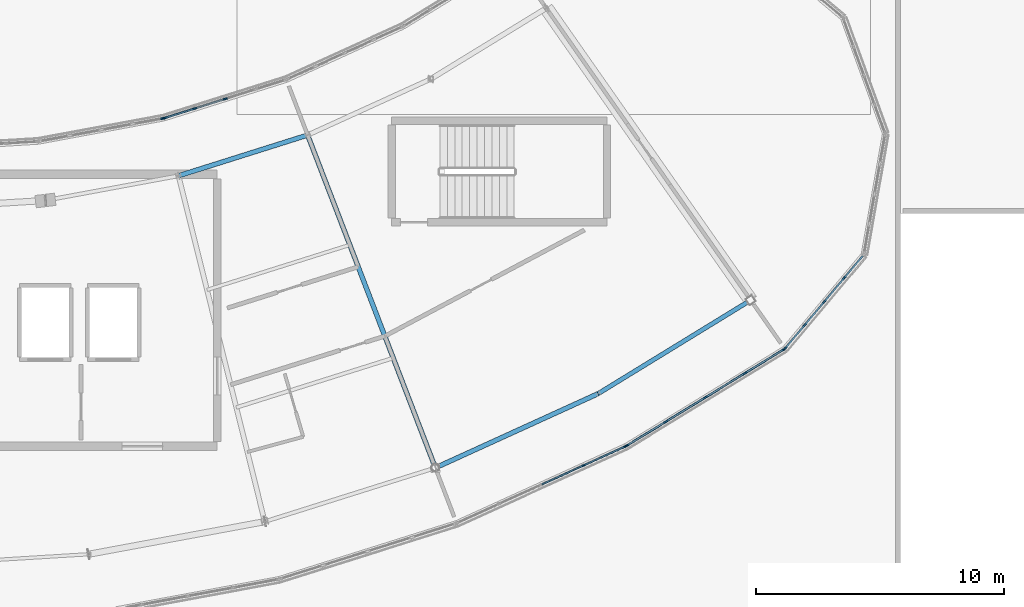
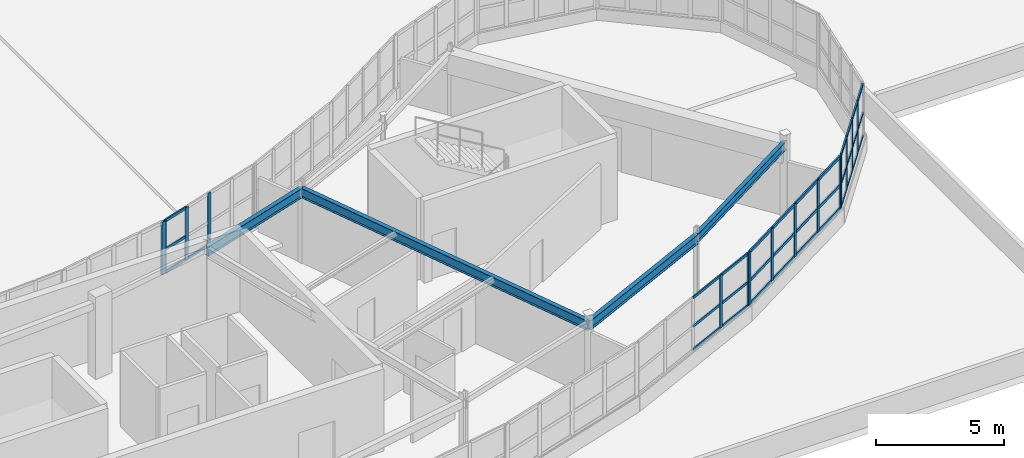
# One storey, part 34 of 128: 49 members, 4 beams, 5 elements without a shape of their own.
"""IFC4 building model written with IfcOpenShell, lengths in metres."""

from ifc_helpers import new_model, si_unit, direction, frame, origin, origin_2d, place, context, subcontext, project, spatial, rectangle, i_section, extrude, material, layer, layer_set, material_profile, profile_set, type_object, element, aggregate, save


model = new_model("IFC4")

# Units and contexts
model_context = context("Model", 3, precision=1e-05, world=origin(), true_north=direction((0.0, 1.0)))
body_context = subcontext(model_context, "Body", "Model", "MODEL_VIEW")
ifc_project = project(units=[si_unit("LENGTHUNIT", "METRE"), si_unit("AREAUNIT", "SQUARE_METRE"), si_unit("VOLUMEUNIT", "CUBIC_METRE"), si_unit("PLANEANGLEUNIT", "RADIAN"), si_unit("MASSUNIT", "GRAM", prefix="KILO")], contexts=[model_context])

# Site, building, storey
site_placement = place(None, origin())
site = spatial("IfcSite", under=ifc_project, at=site_placement, CompositionType="ELEMENT")
building_placement = place(site_placement, origin())
building = spatial("IfcBuilding", under=site, at=building_placement, Name="Tarnwether General Hospital", CompositionType="ELEMENT")
storey_placement = place(building_placement, frame((0.0, 0.0, 14.39990234375)))
storey = spatial("IfcBuildingStorey", under=building, at=storey_placement, Name="L03", CompositionType="ELEMENT", Elevation=14.39990234375)

# Beams
ifc_material_1 = material(Name="Steel Grade 350 (350 MPa)", Category="steel")
ifc_material_profile_1 = material_profile(ifc_material_1, i_section(OverallWidth=0.18994140625, OverallDepth=0.45703125, WebThickness=0.009033203125, FlangeThickness=0.014404296875, at=origin_2d()), Name="460UB74.6")
ifc_profile_set_1 = profile_set([ifc_material_profile_1], Name="Steel Grade 350 (350 MPa)")
beam_type_1 = type_object("IfcBeamType", Name="BM-G09", PredefinedType="BEAM", material=ifc_profile_set_1)
beam_1_placement = place(storey_placement, frame((113.215087890625, 7.73193359375, 3.33154296875), z_axis=(-0.358334838026, 0.933593136145, 0.0), x_axis=(-0.933593136145, -0.358334838026, 0.0)))
element("IfcBeam", 1, at=beam_1_placement, inside=storey, type_object=beam_type_1, Name="Curved Ward SE Radial Girder BMG-L03-11322_773-10806_2118-2103", PredefinedType="BEAM", context=body_context, shape_type="SweptSolid", body=[
    extrude(i_section(OverallWidth=0.18994140625, OverallDepth=0.45703125, WebThickness=0.009033203125, FlangeThickness=0.014404296875, at=origin_2d()), origin(), (0.0, 0.0, 1.0), 14.400390625),
])
ifc_material_2 = material(Name="Steel Grade 350 (350 MPa)", Category="steel")
ifc_material_profile_2 = material_profile(ifc_material_2, i_section(OverallWidth=0.18994140625, OverallDepth=0.4541015625, WebThickness=0.008544921875, FlangeThickness=0.0126953125, at=origin_2d()), Name="460UB67.1")
ifc_profile_set_2 = profile_set([ifc_material_profile_2], Name="Steel Grade 350 (350 MPa)")
beam_type_2 = type_object("IfcBeamType", Name="BM-SP1", PredefinedType="SPANDREL", material=ifc_profile_set_2)
beam_2_placement = place(storey_placement, frame((102.837890625, 19.531005859375, 3.3330078125), z_axis=(0.953712084488, 0.300721232874, 0.0), x_axis=(-0.300721232874, 0.953712084488, 0.0)))
element("IfcBeam", 2, at=beam_2_placement, inside=storey, type_object=beam_type_2, Name="Curved Ward SE Inner Spandrel BMG-L03-10284_1953-10806_2118-2124", PredefinedType="SPANDREL", context=body_context, shape_type="SweptSolid", body=[
    extrude(i_section(OverallWidth=0.18994140625, OverallDepth=0.4541015625, WebThickness=0.008544921875, FlangeThickness=0.0126953125, at=origin_2d()), origin(), (0.0, 0.0, 1.0), 5.47021484375),
])
beam_3_placement = place(storey_placement, frame((113.215087890625, 7.73193359375, 3.3330078125), z_axis=(0.909943842177, 0.414731484316, 0.0), x_axis=(-0.414731484316, 0.909943842177, 0.0)))
element("IfcBeam", 3, at=beam_3_placement, inside=storey, type_object=beam_type_2, Name="Curved Ward SE Outer Spandrel BMG-L03-11322_773-11979_1073-2127", PredefinedType="SPANDREL", context=body_context, shape_type="SweptSolid", body=[
    extrude(i_section(OverallWidth=0.18994140625, OverallDepth=0.4541015625, WebThickness=0.008544921875, FlangeThickness=0.0126953125, at=origin_2d()), origin(), (0.0, 0.0, 1.0), 7.22900390625),
])
ifc_material_3 = material(Name="Steel Grade 350 (350 MPa)", Category="steel")
ifc_material_profile_3 = material_profile(ifc_material_3, i_section(OverallWidth=0.177978515625, OverallDepth=0.403076171875, WebThickness=0.007568359375, FlangeThickness=0.010986328125, at=origin_2d()), Name="410UB53.7")
ifc_profile_set_3 = profile_set([ifc_material_profile_3], Name="Steel Grade 350 (350 MPa)")
beam_type_3 = type_object("IfcBeamType", Name="BM-SP2", PredefinedType="SPANDREL", material=ifc_profile_set_3)
beam_4_placement = place(storey_placement, frame((119.79296875, 10.72998046875, 3.358642578125), z_axis=(0.852678430503, 0.522436114902, 0.0), x_axis=(-0.522436114902, 0.852678430503, 0.0)))
element("IfcBeam", 4, at=beam_4_placement, inside=storey, type_object=beam_type_3, Name="Curved Ward SE Outer Spandrel BMG-L03-11979_1073-12596_1451-2129", PredefinedType="SPANDREL", context=body_context, shape_type="SweptSolid", body=[
    extrude(i_section(OverallWidth=0.177978515625, OverallDepth=0.403076171875, WebThickness=0.007568359375, FlangeThickness=0.010986328125, at=origin_2d()), origin(), (0.0, 0.0, 1.0), 7.22802734375),
])

# Curtain wall, members
ifc_material_4 = material(Name="Anodised aluminium", Category="aluminium")
ifc_layer_1 = layer(ifc_material_4, 0.179931640625)
ifc_layer_set_1 = layer_set([ifc_layer_1], Name="Anodised aluminium")
curtain_wall_type_1 = type_object("IfcCurtainWallType", Name="CW-08", PredefinedType="NOTDEFINED", material=ifc_layer_set_1)
curtain_wall_1_placement = place(storey_placement, origin())
curtain_wall_1 = element("IfcCurtainWall", 5, at=curtain_wall_1_placement, inside=storey, type_object=curtain_wall_type_1, Name="Curtain Wall CWG-L03-1209_86-0162", PredefinedType="NOTDEFINED")
ifc_material_5 = material(Name="Anodised aluminium", Category="aluminium")
ifc_material_profile_4 = material_profile(ifc_material_5, rectangle(XDim=0.06005859375, YDim=0.159912109375, at=origin_2d()), Name="ALU-MUL-60x160")
ifc_profile_set_4 = profile_set([ifc_material_profile_4], Name="Anodised aluminium")
member_type_1 = type_object("IfcMemberType", Name="CW-ML1", PredefinedType="MULLION", material=ifc_profile_set_4)
member_1_placement = place(storey_placement, frame((120.8916015625, 8.59765625, 1.050048828125), z_axis=(0.0, 0.0, 1.0), x_axis=(0.414694289316, -0.909960793886, 0.0)))
member_1 = element("IfcMember", 6, at=member_1_placement, type_object=member_type_1, Name="CW-08 mullion 1", PredefinedType="MULLION", context=body_context, shape_type="SweptSolid", body=[
    extrude(rectangle(XDim=0.06005859375, YDim=0.159912109375, at=origin_2d()), origin(), (0.0, 0.0, 1.0), 2.510009765625),
])
member_2_placement = place(storey_placement, frame((119.2080078125, 7.830322265625, 1.050048828125), z_axis=(0.0, 0.0, 1.0), x_axis=(0.414694289316, -0.909960793886, 0.0)))
member_2 = element("IfcMember", 7, at=member_2_placement, type_object=member_type_1, Name="CW-08 mullion 2", PredefinedType="MULLION", context=body_context, shape_type="SweptSolid", body=[
    extrude(rectangle(XDim=0.06005859375, YDim=0.159912109375, at=origin_2d()), origin(), (0.0, 0.0, 1.0), 2.510009765625),
])

curtain_wall_2_placement = place(storey_placement, origin())
curtain_wall_2 = element("IfcCurtainWall", 8, at=curtain_wall_2_placement, inside=storey, type_object=curtain_wall_type_1, Name="Curtain Wall CWG-L03-1273_125-0163", PredefinedType="NOTDEFINED")
ifc_material_6 = material(Name="Anodised aluminium", Category="aluminium")
ifc_material_profile_5 = material_profile(ifc_material_6, rectangle(XDim=0.070068359375, YDim=0.179931640625, at=origin_2d()), Name="ALU-MUL-70x180")
ifc_profile_set_5 = profile_set([ifc_material_profile_5], Name="Anodised aluminium")
member_type_2 = type_object("IfcMemberType", Name="CW-ML2", PredefinedType="MULLION", material=ifc_profile_set_5)
member_3_placement = place(storey_placement, frame((127.30224609375, 12.521728515625, 1.050048828125), z_axis=(0.0, 0.0, 1.0), x_axis=(0.522509056361, -0.852633734977, 0.0)))
member_3 = element("IfcMember", 9, at=member_3_placement, type_object=member_type_2, Name="CW-08 mullion 1", PredefinedType="MULLION", context=body_context, shape_type="SweptSolid", body=[
    extrude(rectangle(XDim=0.070068359375, YDim=0.179931640625, at=origin_2d()), origin(), (0.0, 0.0, 1.0), 2.510009765625),
])
member_4_placement = place(storey_placement, frame((125.728759765625, 11.5576171875, 1.050048828125), z_axis=(0.0, 0.0, 1.0), x_axis=(0.522509056361, -0.852633734977, 0.0)))
member_4 = element("IfcMember", 10, at=member_4_placement, type_object=member_type_2, Name="CW-08 mullion 2", PredefinedType="MULLION", context=body_context, shape_type="SweptSolid", body=[
    extrude(rectangle(XDim=0.070068359375, YDim=0.179931640625, at=origin_2d()), origin(), (0.0, 0.0, 1.0), 2.510009765625),
])
member_5_placement = place(storey_placement, frame((124.12548828125, 10.574951171875, 1.050048828125), z_axis=(0.0, 0.0, 1.0), x_axis=(0.522509056361, -0.852633734977, 0.0)))
member_5 = element("IfcMember", 11, at=member_5_placement, type_object=member_type_2, Name="CW-08 mullion 3", PredefinedType="MULLION", context=body_context, shape_type="SweptSolid", body=[
    extrude(rectangle(XDim=0.070068359375, YDim=0.179931640625, at=origin_2d()), origin(), (0.0, 0.0, 1.0), 2.510009765625),
])
member_6_placement = place(storey_placement, frame((122.522216796875, 9.592529296875, 1.050048828125), z_axis=(0.0, 0.0, 1.0), x_axis=(0.522509056361, -0.852633734977, 0.0)))
member_6 = element("IfcMember", 12, at=member_6_placement, type_object=member_type_2, Name="CW-08 mullion 4", PredefinedType="MULLION", context=body_context, shape_type="SweptSolid", body=[
    extrude(rectangle(XDim=0.070068359375, YDim=0.179931640625, at=origin_2d()), origin(), (0.0, 0.0, 1.0), 2.510009765625),
])
member_7_placement = place(storey_placement, frame((120.94873046875, 8.628173828125, 1.050048828125), z_axis=(0.0, 0.0, 1.0), x_axis=(0.522509056361, -0.852633734977, 0.0)))
member_7 = element("IfcMember", 13, at=member_7_placement, type_object=member_type_2, Name="CW-08 mullion 5", PredefinedType="MULLION", context=body_context, shape_type="SweptSolid", body=[
    extrude(rectangle(XDim=0.070068359375, YDim=0.179931640625, at=origin_2d()), origin(), (0.0, 0.0, 1.0), 2.510009765625),
])

ifc_material_7 = material(Name="Anodised aluminium", Category="aluminium")
ifc_layer_2 = layer(ifc_material_7, 0.159912109375)
ifc_layer_set_2 = layer_set([ifc_layer_2], Name="Anodised aluminium")
curtain_wall_type_2 = type_object("IfcCurtainWallType", Name="CW-04", PredefinedType="NOTDEFINED", material=ifc_layer_set_2)
curtain_wall_3_placement = place(storey_placement, origin())
curtain_wall_3 = element("IfcCurtainWall", 14, at=curtain_wall_3_placement, inside=storey, type_object=curtain_wall_type_2, Name="Curtain Wall CWG-L03-1305_163-0164", PredefinedType="NOTDEFINED")
ifc_material_8 = material(Name="Anodised aluminium", Category="aluminium")
ifc_material_profile_6 = material_profile(ifc_material_8, rectangle(XDim=0.06494140625, YDim=0.169921875, at=origin_2d()), Name="ALU-MUL-65x170")
ifc_profile_set_6 = profile_set([ifc_material_profile_6], Name="Anodised aluminium")
member_type_3 = type_object("IfcMemberType", Name="CW-ML3", PredefinedType="MULLION", material=ifc_profile_set_6)
member_8_placement = place(storey_placement, frame((129.728271484375, 15.395263671875, 1.050048828125), z_axis=(0.0, 0.0, 1.0), x_axis=(0.765990176896, -0.64285227611, 0.0)))
member_8 = element("IfcMember", 15, at=member_8_placement, type_object=member_type_3, Name="CW-04 mullion 2", PredefinedType="MULLION", context=body_context, shape_type="SweptSolid", body=[
    extrude(rectangle(XDim=0.06494140625, YDim=0.169921875, at=origin_2d()), origin(), (0.0, 0.0, 1.0), 2.510009765625),
])
member_9_placement = place(storey_placement, frame((128.929443359375, 14.443603515625, 1.050048828125), z_axis=(0.0, 0.0, 1.0), x_axis=(0.765990176896, -0.64285227611, 0.0)))
member_9 = element("IfcMember", 16, at=member_9_placement, type_object=member_type_3, Name="CW-04 mullion 3", PredefinedType="MULLION", context=body_context, shape_type="SweptSolid", body=[
    extrude(rectangle(XDim=0.06494140625, YDim=0.169921875, at=origin_2d()), origin(), (0.0, 0.0, 1.0), 2.510009765625),
])
member_10_placement = place(storey_placement, frame((128.130859375, 13.49169921875, 1.050048828125), z_axis=(0.0, 0.0, 1.0), x_axis=(0.765990176896, -0.64285227611, 0.0)))
member_10 = element("IfcMember", 17, at=member_10_placement, type_object=member_type_3, Name="CW-04 mullion 4", PredefinedType="MULLION", context=body_context, shape_type="SweptSolid", body=[
    extrude(rectangle(XDim=0.06494140625, YDim=0.169921875, at=origin_2d()), origin(), (0.0, 0.0, 1.0), 2.510009765625),
])
member_11_placement = place(storey_placement, frame((127.352783203125, 12.56494140625, 1.050048828125), z_axis=(0.0, 0.0, 1.0), x_axis=(0.765990176896, -0.64285227611, 0.0)))
member_11 = element("IfcMember", 18, at=member_11_placement, type_object=member_type_3, Name="CW-04 mullion 5", PredefinedType="MULLION", context=body_context, shape_type="SweptSolid", body=[
    extrude(rectangle(XDim=0.06494140625, YDim=0.169921875, at=origin_2d()), origin(), (0.0, 0.0, 1.0), 2.510009765625),
])

curtain_wall_4_placement = place(storey_placement, origin())
curtain_wall_4 = element("IfcCurtainWall", 19, at=curtain_wall_4_placement, inside=storey, type_object=curtain_wall_type_2, Name="Curtain Wall CWG-L03-1023_219-0172", PredefinedType="NOTDEFINED")
member_12_placement = place(storey_placement, frame((102.2880859375, 21.86865234375, 1.050048828125), z_axis=(0.0, 0.0, 1.0), x_axis=(-0.30071538783, 0.953713927508, 0.0)))
member_12 = element("IfcMember", 20, at=member_12_placement, type_object=member_type_3, Name="CW-04 mullion 1", PredefinedType="MULLION", context=body_context, shape_type="SweptSolid", body=[
    extrude(rectangle(XDim=0.06494140625, YDim=0.169921875, at=origin_2d()), origin(), (0.0, 0.0, 1.0), 2.510009765625),
])
member_13_placement = place(storey_placement, frame((103.491455078125, 22.248291015625, 1.050048828125), z_axis=(0.0, 0.0, 1.0), x_axis=(-0.30071538783, 0.953713927508, 0.0)))
member_13 = element("IfcMember", 21, at=member_13_placement, type_object=member_type_3, Name="CW-04 mullion 2", PredefinedType="MULLION", context=body_context, shape_type="SweptSolid", body=[
    extrude(rectangle(XDim=0.06494140625, YDim=0.169921875, at=origin_2d()), origin(), (0.0, 0.0, 1.0), 2.510009765625),
])
member_14_placement = place(storey_placement, frame((104.72607421875, 22.637451171875, 1.050048828125), z_axis=(0.0, 0.0, 1.0), x_axis=(-0.30071538783, 0.953713927508, 0.0)))
member_14 = element("IfcMember", 22, at=member_14_placement, type_object=member_type_3, Name="CW-04 mullion 3", PredefinedType="MULLION", context=body_context, shape_type="SweptSolid", body=[
    extrude(rectangle(XDim=0.06494140625, YDim=0.169921875, at=origin_2d()), origin(), (0.0, 0.0, 1.0), 2.510009765625),
])

# Curtain wall, member
curtain_wall_5_placement = place(storey_placement, origin())
curtain_wall_5 = element("IfcCurtainWall", 23, at=curtain_wall_5_placement, inside=storey, type_object=curtain_wall_type_2, Name="Curtain Wall CWG-L03-972_209-0173", PredefinedType="NOTDEFINED")
ifc_material_9 = material(Name="Anodised aluminium", Category="aluminium")
ifc_material_profile_7 = material_profile(ifc_material_9, rectangle(XDim=0.080078125, YDim=0.199951171875, at=origin_2d()), Name="ALU-MUL-80x200")
ifc_profile_set_7 = profile_set([ifc_material_profile_7], Name="Anodised aluminium")
member_type_4 = type_object("IfcMemberType", Name="CW-ML4", PredefinedType="MULLION", material=ifc_profile_set_7)
member_15_placement = place(storey_placement, frame((102.2177734375, 21.851806640625, 1.050048828125), z_axis=(0.0, 0.0, 1.0), x_axis=(-0.182165351666, 0.983267910924, 0.0)))
member_15 = element("IfcMember", 24, at=member_15_placement, type_object=member_type_4, Name="CW-04 mullion 5", PredefinedType="MULLION", context=body_context, shape_type="SweptSolid", body=[
    extrude(rectangle(XDim=0.080078125, YDim=0.199951171875, at=origin_2d()), origin(), (0.0, 0.0, 1.0), 2.510009765625),
])
aggregate(curtain_wall_5, [member_15])

# Member
ifc_material_10 = material(Name="Anodised aluminium", Category="aluminium")
ifc_material_profile_8 = material_profile(ifc_material_10, rectangle(XDim=0.06005859375, YDim=0.1201171875, at=origin_2d()), Name="ALU-TRN-60x120")
ifc_profile_set_8 = profile_set([ifc_material_profile_8], Name="Anodised aluminium")
member_type_5 = type_object("IfcMemberType", Name="CW-TR1", PredefinedType="USERDEFINED", material=ifc_profile_set_8)
member_16_placement = place(storey_placement, frame((120.864501953125, 8.585205078125, 1.080078125), z_axis=(-0.909964425391, -0.414686320637, 0.0), x_axis=(0.414686320637, -0.909964425391, 0.0)))
member_16 = element("IfcMember", 25, at=member_16_placement, type_object=member_type_5, Name="CW-08 transom 1.1", ObjectType="TRANSOM", PredefinedType="USERDEFINED", context=body_context, shape_type="SweptSolid", body=[
    extrude(rectangle(XDim=0.06005859375, YDim=0.1201171875, at=origin_2d()), origin(), (0.0, 0.0, 1.0), 1.790283203125),
])

member_17_placement = place(storey_placement, frame((120.864501953125, 8.585205078125, 2.1796875), z_axis=(-0.909964425391, -0.414686320637, 0.0), x_axis=(0.414686320637, -0.909964425391, 0.0)))
member_17 = element("IfcMember", 26, at=member_17_placement, type_object=member_type_5, Name="CW-08 transom 1.2", ObjectType="TRANSOM", PredefinedType="USERDEFINED", context=body_context, shape_type="SweptSolid", body=[
    extrude(rectangle(XDim=0.06005859375, YDim=0.1201171875, at=origin_2d()), origin(), (0.0, 0.0, 1.0), 1.790283203125),
])

member_18_placement = place(storey_placement, frame((120.864501953125, 8.585205078125, 3.530029296875), z_axis=(-0.909964425391, -0.414686320637, 0.0), x_axis=(0.414686320637, -0.909964425391, 0.0)))
member_18 = element("IfcMember", 27, at=member_18_placement, type_object=member_type_5, Name="CW-08 transom 1.3", ObjectType="TRANSOM", PredefinedType="USERDEFINED", context=body_context, shape_type="SweptSolid", body=[
    extrude(rectangle(XDim=0.06005859375, YDim=0.1201171875, at=origin_2d()), origin(), (0.0, 0.0, 1.0), 1.790283203125),
])

member_19_placement = place(storey_placement, frame((119.1806640625, 7.81787109375, 1.080078125), z_axis=(-0.909943398797, -0.414732457117, 0.0), x_axis=(0.414732457117, -0.909943398797, 0.0)))
member_19 = element("IfcMember", 28, at=member_19_placement, type_object=member_type_5, Name="CW-08 transom 2.1", ObjectType="TRANSOM", PredefinedType="USERDEFINED", context=body_context, shape_type="SweptSolid", body=[
    extrude(rectangle(XDim=0.06005859375, YDim=0.1201171875, at=origin_2d()), origin(), (0.0, 0.0, 1.0), 1.820068359375),
])

member_20_placement = place(storey_placement, frame((119.1806640625, 7.81787109375, 2.1796875), z_axis=(-0.909943398797, -0.414732457117, 0.0), x_axis=(0.414732457117, -0.909943398797, 0.0)))
member_20 = element("IfcMember", 29, at=member_20_placement, type_object=member_type_5, Name="CW-08 transom 2.2", ObjectType="TRANSOM", PredefinedType="USERDEFINED", context=body_context, shape_type="SweptSolid", body=[
    extrude(rectangle(XDim=0.06005859375, YDim=0.1201171875, at=origin_2d()), origin(), (0.0, 0.0, 1.0), 1.820068359375),
])

member_21_placement = place(storey_placement, frame((119.1806640625, 7.81787109375, 3.530029296875), z_axis=(-0.909943398797, -0.414732457117, 0.0), x_axis=(0.414732457117, -0.909943398797, 0.0)))
member_21 = element("IfcMember", 30, at=member_21_placement, type_object=member_type_5, Name="CW-08 transom 2.3", ObjectType="TRANSOM", PredefinedType="USERDEFINED", context=body_context, shape_type="SweptSolid", body=[
    extrude(rectangle(XDim=0.06005859375, YDim=0.1201171875, at=origin_2d()), origin(), (0.0, 0.0, 1.0), 1.820068359375),
])

aggregate(curtain_wall_1, [member_1, member_2, member_16, member_17, member_18, member_19, member_20, member_21])

ifc_material_11 = material(Name="Anodised aluminium", Category="aluminium")
ifc_material_profile_9 = material_profile(ifc_material_11, rectangle(XDim=0.070068359375, YDim=0.139892578125, at=origin_2d()), Name="ALU-TRN-70x140")
ifc_profile_set_9 = profile_set([ifc_material_profile_9], Name="Anodised aluminium")
member_type_6 = type_object("IfcMemberType", Name="CW-TR2", PredefinedType="USERDEFINED", material=ifc_profile_set_9)
member_22_placement = place(storey_placement, frame((127.272216796875, 12.50341796875, 1.085205078125), z_axis=(-0.852601252411, -0.522562057929, 0.0), x_axis=(0.522562057929, -0.852601252411, 0.0)))
member_22 = element("IfcMember", 31, at=member_22_placement, type_object=member_type_6, Name="CW-08 transom 1.1", ObjectType="TRANSOM", PredefinedType="USERDEFINED", context=body_context, shape_type="SweptSolid", body=[
    extrude(rectangle(XDim=0.070068359375, YDim=0.139892578125, at=origin_2d()), origin(), (0.0, 0.0, 1.0), 1.775390625),
])

member_23_placement = place(storey_placement, frame((127.272216796875, 12.50341796875, 2.1796875), z_axis=(-0.852601252411, -0.522562057929, 0.0), x_axis=(0.522562057929, -0.852601252411, 0.0)))
member_23 = element("IfcMember", 32, at=member_23_placement, type_object=member_type_6, Name="CW-08 transom 1.2", ObjectType="TRANSOM", PredefinedType="USERDEFINED", context=body_context, shape_type="SweptSolid", body=[
    extrude(rectangle(XDim=0.070068359375, YDim=0.139892578125, at=origin_2d()), origin(), (0.0, 0.0, 1.0), 1.775390625),
])

member_24_placement = place(storey_placement, frame((127.272216796875, 12.50341796875, 3.525146484375), z_axis=(-0.852601252411, -0.522562057929, 0.0), x_axis=(0.522562057929, -0.852601252411, 0.0)))
member_24 = element("IfcMember", 33, at=member_24_placement, type_object=member_type_6, Name="CW-08 transom 1.3", ObjectType="TRANSOM", PredefinedType="USERDEFINED", context=body_context, shape_type="SweptSolid", body=[
    extrude(rectangle(XDim=0.070068359375, YDim=0.139892578125, at=origin_2d()), origin(), (0.0, 0.0, 1.0), 1.775390625),
])

member_25_placement = place(storey_placement, frame((125.698974609375, 11.539306640625, 1.085205078125), z_axis=(-0.852624507727, -0.522524113149, 0.0), x_axis=(0.522524113149, -0.852624507727, 0.0)))
member_25 = element("IfcMember", 34, at=member_25_placement, type_object=member_type_6, Name="CW-08 transom 2.1", ObjectType="TRANSOM", PredefinedType="USERDEFINED", context=body_context, shape_type="SweptSolid", body=[
    extrude(rectangle(XDim=0.070068359375, YDim=0.139892578125, at=origin_2d()), origin(), (0.0, 0.0, 1.0), 1.810546875),
])

member_26_placement = place(storey_placement, frame((125.698974609375, 11.539306640625, 2.1796875), z_axis=(-0.852624507727, -0.522524113149, 0.0), x_axis=(0.522524113149, -0.852624507727, 0.0)))
member_26 = element("IfcMember", 35, at=member_26_placement, type_object=member_type_6, Name="CW-08 transom 2.2", ObjectType="TRANSOM", PredefinedType="USERDEFINED", context=body_context, shape_type="SweptSolid", body=[
    extrude(rectangle(XDim=0.070068359375, YDim=0.139892578125, at=origin_2d()), origin(), (0.0, 0.0, 1.0), 1.810546875),
])

member_27_placement = place(storey_placement, frame((125.698974609375, 11.539306640625, 3.525146484375), z_axis=(-0.852624507727, -0.522524113149, 0.0), x_axis=(0.522524113149, -0.852624507727, 0.0)))
member_27 = element("IfcMember", 36, at=member_27_placement, type_object=member_type_6, Name="CW-08 transom 2.3", ObjectType="TRANSOM", PredefinedType="USERDEFINED", context=body_context, shape_type="SweptSolid", body=[
    extrude(rectangle(XDim=0.070068359375, YDim=0.139892578125, at=origin_2d()), origin(), (0.0, 0.0, 1.0), 1.810546875),
])

member_28_placement = place(storey_placement, frame((124.095703125, 10.556640625, 1.085205078125), z_axis=(-0.852684582016, -0.522426074763, 0.0), x_axis=(0.522426074763, -0.852684582016, 0.0)))
member_28 = element("IfcMember", 37, at=member_28_placement, type_object=member_type_6, Name="CW-08 transom 3.1", ObjectType="TRANSOM", PredefinedType="USERDEFINED", context=body_context, shape_type="SweptSolid", body=[
    extrude(rectangle(XDim=0.070068359375, YDim=0.139892578125, at=origin_2d()), origin(), (0.0, 0.0, 1.0), 1.810302734375),
])

member_29_placement = place(storey_placement, frame((124.095703125, 10.556640625, 2.1796875), z_axis=(-0.852684582016, -0.522426074763, 0.0), x_axis=(0.522426074763, -0.852684582016, 0.0)))
member_29 = element("IfcMember", 38, at=member_29_placement, type_object=member_type_6, Name="CW-08 transom 3.2", ObjectType="TRANSOM", PredefinedType="USERDEFINED", context=body_context, shape_type="SweptSolid", body=[
    extrude(rectangle(XDim=0.070068359375, YDim=0.139892578125, at=origin_2d()), origin(), (0.0, 0.0, 1.0), 1.810302734375),
])

member_30_placement = place(storey_placement, frame((124.095703125, 10.556640625, 3.525146484375), z_axis=(-0.852684582016, -0.522426074763, 0.0), x_axis=(0.522426074763, -0.852684582016, 0.0)))
member_30 = element("IfcMember", 39, at=member_30_placement, type_object=member_type_6, Name="CW-08 transom 3.3", ObjectType="TRANSOM", PredefinedType="USERDEFINED", context=body_context, shape_type="SweptSolid", body=[
    extrude(rectangle(XDim=0.070068359375, YDim=0.139892578125, at=origin_2d()), origin(), (0.0, 0.0, 1.0), 1.810302734375),
])

member_31_placement = place(storey_placement, frame((122.492431640625, 9.57421875, 1.085205078125), z_axis=(-0.852601252411, -0.522562057929, 0.0), x_axis=(0.522562057929, -0.852601252411, 0.0)))
member_31 = element("IfcMember", 40, at=member_31_placement, type_object=member_type_6, Name="CW-08 transom 4.1", ObjectType="TRANSOM", PredefinedType="USERDEFINED", context=body_context, shape_type="SweptSolid", body=[
    extrude(rectangle(XDim=0.070068359375, YDim=0.139892578125, at=origin_2d()), origin(), (0.0, 0.0, 1.0), 1.775390625),
])

member_32_placement = place(storey_placement, frame((122.492431640625, 9.57421875, 2.1796875), z_axis=(-0.852601252411, -0.522562057929, 0.0), x_axis=(0.522562057929, -0.852601252411, 0.0)))
member_32 = element("IfcMember", 41, at=member_32_placement, type_object=member_type_6, Name="CW-08 transom 4.2", ObjectType="TRANSOM", PredefinedType="USERDEFINED", context=body_context, shape_type="SweptSolid", body=[
    extrude(rectangle(XDim=0.070068359375, YDim=0.139892578125, at=origin_2d()), origin(), (0.0, 0.0, 1.0), 1.775390625),
])

member_33_placement = place(storey_placement, frame((122.492431640625, 9.57421875, 3.525146484375), z_axis=(-0.852601252411, -0.522562057929, 0.0), x_axis=(0.522562057929, -0.852601252411, 0.0)))
member_33 = element("IfcMember", 42, at=member_33_placement, type_object=member_type_6, Name="CW-08 transom 4.3", ObjectType="TRANSOM", PredefinedType="USERDEFINED", context=body_context, shape_type="SweptSolid", body=[
    extrude(rectangle(XDim=0.070068359375, YDim=0.139892578125, at=origin_2d()), origin(), (0.0, 0.0, 1.0), 1.775390625),
])

aggregate(curtain_wall_2, [member_3, member_4, member_5, member_6, member_7, member_22, member_23, member_24, member_25, member_26, member_27, member_28, member_29, member_30, member_31, member_32, member_33])

ifc_material_12 = material(Name="Anodised aluminium", Category="aluminium")
ifc_material_profile_10 = material_profile(ifc_material_12, rectangle(XDim=0.06494140625, YDim=0.1298828125, at=origin_2d()), Name="ALU-TRN-65x130")
ifc_profile_set_10 = profile_set([ifc_material_profile_10], Name="Anodised aluminium")
member_type_7 = type_object("IfcMemberType", Name="CW-TR3", PredefinedType="USERDEFINED", material=ifc_profile_set_10)
member_34_placement = place(storey_placement, frame((130.485107421875, 16.297119140625, 1.08251953125), z_axis=(-0.64290699353, -0.765944252325, 0.0), x_axis=(0.765944252325, -0.64290699353, 0.0)))
member_34 = element("IfcMember", 43, at=member_34_placement, type_object=member_type_7, Name="CW-04 transom 1.1", ObjectType="TRANSOM", PredefinedType="USERDEFINED", context=body_context, shape_type="SweptSolid", body=[
    extrude(rectangle(XDim=0.06494140625, YDim=0.1298828125, at=origin_2d()), origin(), (0.0, 0.0, 1.0), 1.14501953125),
])

member_35_placement = place(storey_placement, frame((130.485107421875, 16.297119140625, 2.1796875), z_axis=(-0.64290699353, -0.765944252325, 0.0), x_axis=(0.765944252325, -0.64290699353, 0.0)))
member_35 = element("IfcMember", 44, at=member_35_placement, type_object=member_type_7, Name="CW-04 transom 1.2", ObjectType="TRANSOM", PredefinedType="USERDEFINED", context=body_context, shape_type="SweptSolid", body=[
    extrude(rectangle(XDim=0.06494140625, YDim=0.1298828125, at=origin_2d()), origin(), (0.0, 0.0, 1.0), 1.14501953125),
])

member_36_placement = place(storey_placement, frame((130.485107421875, 16.297119140625, 3.527587890625), z_axis=(-0.64290699353, -0.765944252325, 0.0), x_axis=(0.765944252325, -0.64290699353, 0.0)))
member_36 = element("IfcMember", 45, at=member_36_placement, type_object=member_type_7, Name="CW-04 transom 1.3", ObjectType="TRANSOM", PredefinedType="USERDEFINED", context=body_context, shape_type="SweptSolid", body=[
    extrude(rectangle(XDim=0.06494140625, YDim=0.1298828125, at=origin_2d()), origin(), (0.0, 0.0, 1.0), 1.14501953125),
])

member_37_placement = place(storey_placement, frame((129.707275390625, 15.370361328125, 1.08251953125), z_axis=(-0.642832141434, -0.766007074341, 0.0), x_axis=(0.766007074341, -0.642832141434, 0.0)))
member_37 = element("IfcMember", 46, at=member_37_placement, type_object=member_type_7, Name="CW-04 transom 2.1", ObjectType="TRANSOM", PredefinedType="USERDEFINED", context=body_context, shape_type="SweptSolid", body=[
    extrude(rectangle(XDim=0.06494140625, YDim=0.1298828125, at=origin_2d()), origin(), (0.0, 0.0, 1.0), 1.17724609375),
])

member_38_placement = place(storey_placement, frame((129.707275390625, 15.370361328125, 2.1796875), z_axis=(-0.642832141434, -0.766007074341, 0.0), x_axis=(0.766007074341, -0.642832141434, 0.0)))
member_38 = element("IfcMember", 47, at=member_38_placement, type_object=member_type_7, Name="CW-04 transom 2.2", ObjectType="TRANSOM", PredefinedType="USERDEFINED", context=body_context, shape_type="SweptSolid", body=[
    extrude(rectangle(XDim=0.06494140625, YDim=0.1298828125, at=origin_2d()), origin(), (0.0, 0.0, 1.0), 1.17724609375),
])

member_39_placement = place(storey_placement, frame((129.707275390625, 15.370361328125, 3.527587890625), z_axis=(-0.642832141434, -0.766007074341, 0.0), x_axis=(0.766007074341, -0.642832141434, 0.0)))
member_39 = element("IfcMember", 48, at=member_39_placement, type_object=member_type_7, Name="CW-04 transom 2.3", ObjectType="TRANSOM", PredefinedType="USERDEFINED", context=body_context, shape_type="SweptSolid", body=[
    extrude(rectangle(XDim=0.06494140625, YDim=0.1298828125, at=origin_2d()), origin(), (0.0, 0.0, 1.0), 1.17724609375),
])

member_40_placement = place(storey_placement, frame((128.90869140625, 14.418701171875, 1.08251953125), z_axis=(-0.642851701012, -0.765990659542, 0.0), x_axis=(0.765990659542, -0.642851701012, 0.0)))
member_40 = element("IfcMember", 49, at=member_40_placement, type_object=member_type_7, Name="CW-04 transom 3.1", ObjectType="TRANSOM", PredefinedType="USERDEFINED", context=body_context, shape_type="SweptSolid", body=[
    extrude(rectangle(XDim=0.06494140625, YDim=0.1298828125, at=origin_2d()), origin(), (0.0, 0.0, 1.0), 1.177734375),
])

member_41_placement = place(storey_placement, frame((128.90869140625, 14.418701171875, 2.1796875), z_axis=(-0.642851701012, -0.765990659542, 0.0), x_axis=(0.765990659542, -0.642851701012, 0.0)))
member_41 = element("IfcMember", 50, at=member_41_placement, type_object=member_type_7, Name="CW-04 transom 3.2", ObjectType="TRANSOM", PredefinedType="USERDEFINED", context=body_context, shape_type="SweptSolid", body=[
    extrude(rectangle(XDim=0.06494140625, YDim=0.1298828125, at=origin_2d()), origin(), (0.0, 0.0, 1.0), 1.177734375),
])

member_42_placement = place(storey_placement, frame((128.90869140625, 14.418701171875, 3.527587890625), z_axis=(-0.642851701012, -0.765990659542, 0.0), x_axis=(0.765990659542, -0.642851701012, 0.0)))
member_42 = element("IfcMember", 51, at=member_42_placement, type_object=member_type_7, Name="CW-04 transom 3.3", ObjectType="TRANSOM", PredefinedType="USERDEFINED", context=body_context, shape_type="SweptSolid", body=[
    extrude(rectangle(XDim=0.06494140625, YDim=0.1298828125, at=origin_2d()), origin(), (0.0, 0.0, 1.0), 1.177734375),
])

member_43_placement = place(storey_placement, frame((128.10986328125, 13.466796875, 1.08251953125), z_axis=(-0.64290699353, -0.765944252325, 0.0), x_axis=(0.765944252325, -0.64290699353, 0.0)))
member_43 = element("IfcMember", 52, at=member_43_placement, type_object=member_type_7, Name="CW-04 transom 4.1", ObjectType="TRANSOM", PredefinedType="USERDEFINED", context=body_context, shape_type="SweptSolid", body=[
    extrude(rectangle(XDim=0.06494140625, YDim=0.1298828125, at=origin_2d()), origin(), (0.0, 0.0, 1.0), 1.14501953125),
])

member_44_placement = place(storey_placement, frame((128.10986328125, 13.466796875, 2.1796875), z_axis=(-0.64290699353, -0.765944252325, 0.0), x_axis=(0.765944252325, -0.64290699353, 0.0)))
member_44 = element("IfcMember", 53, at=member_44_placement, type_object=member_type_7, Name="CW-04 transom 4.2", ObjectType="TRANSOM", PredefinedType="USERDEFINED", context=body_context, shape_type="SweptSolid", body=[
    extrude(rectangle(XDim=0.06494140625, YDim=0.1298828125, at=origin_2d()), origin(), (0.0, 0.0, 1.0), 1.14501953125),
])

member_45_placement = place(storey_placement, frame((128.10986328125, 13.466796875, 3.527587890625), z_axis=(-0.64290699353, -0.765944252325, 0.0), x_axis=(0.765944252325, -0.64290699353, 0.0)))
member_45 = element("IfcMember", 54, at=member_45_placement, type_object=member_type_7, Name="CW-04 transom 4.3", ObjectType="TRANSOM", PredefinedType="USERDEFINED", context=body_context, shape_type="SweptSolid", body=[
    extrude(rectangle(XDim=0.06494140625, YDim=0.1298828125, at=origin_2d()), origin(), (0.0, 0.0, 1.0), 1.14501953125),
])

aggregate(curtain_wall_3, [member_8, member_9, member_10, member_11, member_34, member_35, member_36, member_37, member_38, member_39, member_40, member_41, member_42, member_43, member_44, member_45])

member_46_placement = place(storey_placement, frame((102.319091796875, 21.878662109375, 1.08251953125), z_axis=(0.953718228392, 0.300701747305, 0.0), x_axis=(-0.300701747305, 0.953718228392, 0.0)))
member_46 = element("IfcMember", 55, at=member_46_placement, type_object=member_type_7, Name="CW-04 transom 1.1", ObjectType="TRANSOM", PredefinedType="USERDEFINED", context=body_context, shape_type="SweptSolid", body=[
    extrude(rectangle(XDim=0.06494140625, YDim=0.1298828125, at=origin_2d()), origin(), (0.0, 0.0, 1.0), 1.19677734375),
])

member_47_placement = place(storey_placement, frame((102.319091796875, 21.878662109375, 2.1796875), z_axis=(0.953718228392, 0.300701747305, 0.0), x_axis=(-0.300701747305, 0.953718228392, 0.0)))
member_47 = element("IfcMember", 56, at=member_47_placement, type_object=member_type_7, Name="CW-04 transom 1.2", ObjectType="TRANSOM", PredefinedType="USERDEFINED", context=body_context, shape_type="SweptSolid", body=[
    extrude(rectangle(XDim=0.06494140625, YDim=0.1298828125, at=origin_2d()), origin(), (0.0, 0.0, 1.0), 1.19677734375),
])

member_48_placement = place(storey_placement, frame((102.319091796875, 21.878662109375, 3.527587890625), z_axis=(0.953718228392, 0.300701747305, 0.0), x_axis=(-0.300701747305, 0.953718228392, 0.0)))
member_48 = element("IfcMember", 57, at=member_48_placement, type_object=member_type_7, Name="CW-04 transom 1.3", ObjectType="TRANSOM", PredefinedType="USERDEFINED", context=body_context, shape_type="SweptSolid", body=[
    extrude(rectangle(XDim=0.06494140625, YDim=0.1298828125, at=origin_2d()), origin(), (0.0, 0.0, 1.0), 1.19677734375),
])

member_49_placement = place(storey_placement, frame((103.5224609375, 22.258056640625, 1.08251953125), z_axis=(0.953738593223, 0.300637149727, 0.0), x_axis=(-0.300637149727, 0.953738593223, 0.0)))
member_49 = element("IfcMember", 58, at=member_49_placement, type_object=member_type_7, Name="CW-04 transom 2.1", ObjectType="TRANSOM", PredefinedType="USERDEFINED", context=body_context, shape_type="SweptSolid", body=[
    extrude(rectangle(XDim=0.06494140625, YDim=0.1298828125, at=origin_2d()), origin(), (0.0, 0.0, 1.0), 1.2294921875),
])

aggregate(curtain_wall_4, [member_12, member_13, member_14, member_46, member_47, member_48, member_49])

save(model, "model.ifc")
